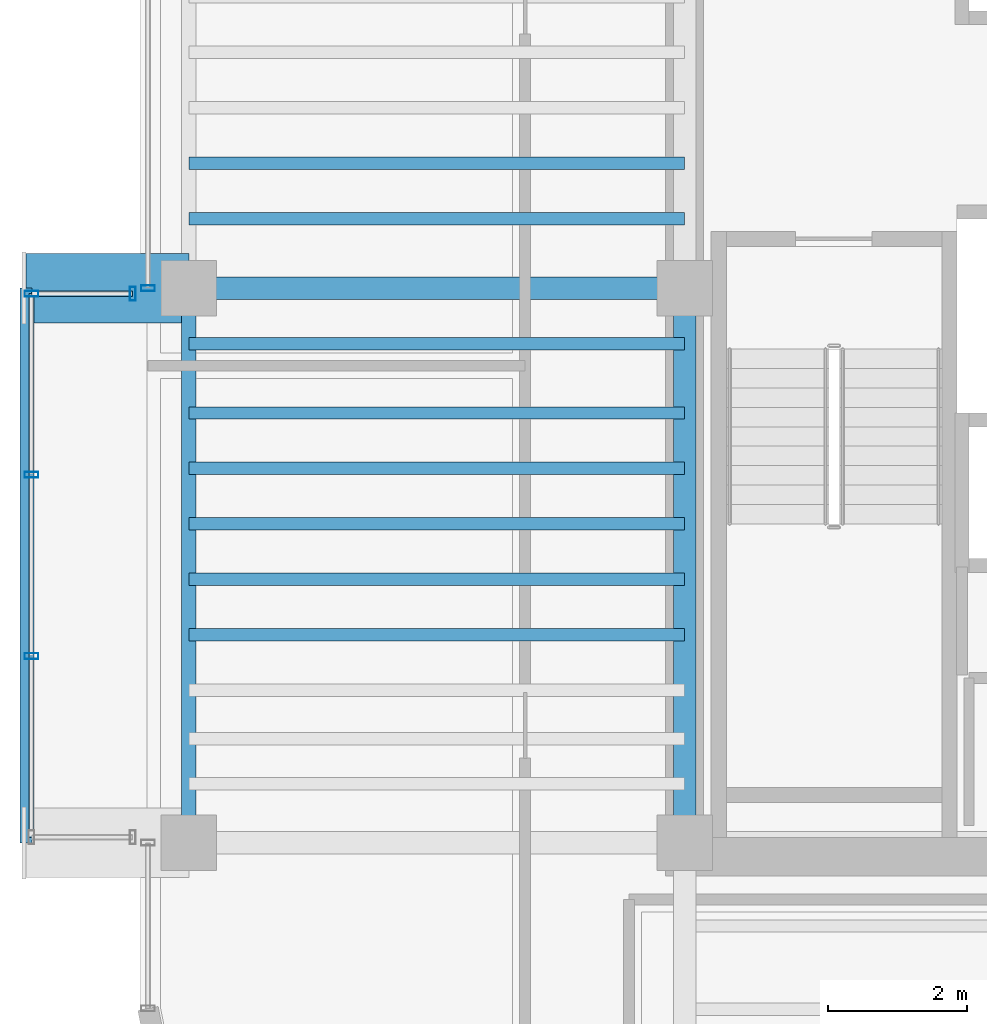
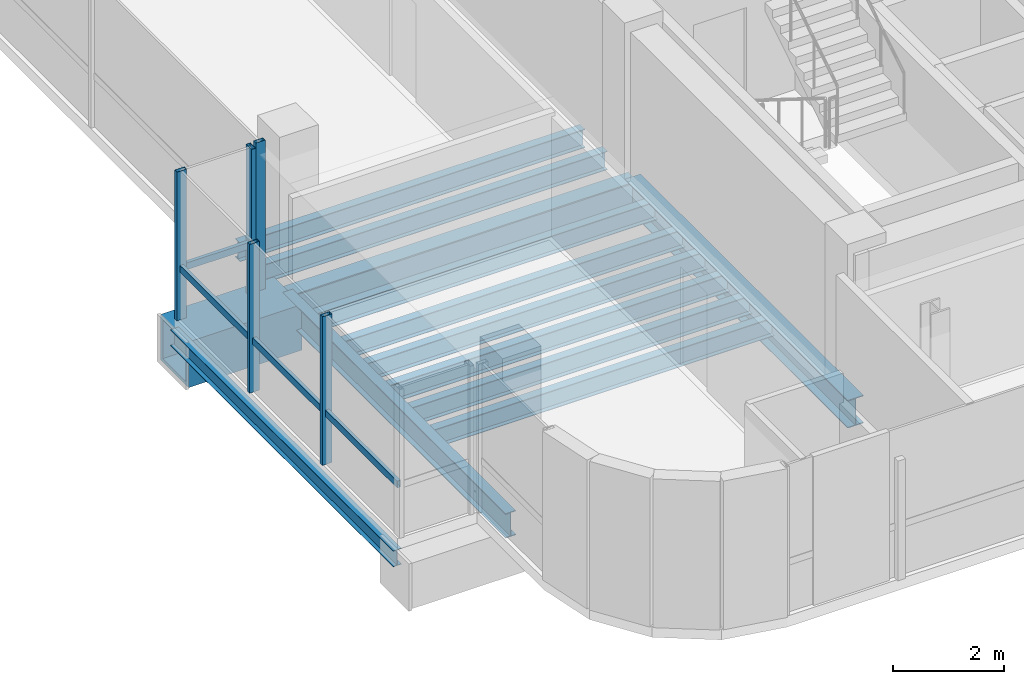
# One storey, part 4 of 19: 13 beams, 7 members, 3 elements without a shape of their own.
"""IFC4 building model written with IfcOpenShell, lengths in metres."""

from ifc_helpers import new_model, si_unit, direction, frame, origin, origin_2d, place, context, subcontext, project, spatial, hollow_rectangle, i_section, extrude, source, transform, mapped, material, material_profile, profile_set, type_object, element, aggregate, save


model = new_model("IFC4")

# Units and contexts
model_context = context("Model", 3, precision=1e-05, world=origin(), true_north=direction((0.0, 1.0)))
body_context = subcontext(model_context, "Body", "Model", "MODEL_VIEW")
ifc_project = project(units=[si_unit("LENGTHUNIT", "METRE"), si_unit("AREAUNIT", "SQUARE_METRE"), si_unit("VOLUMEUNIT", "CUBIC_METRE"), si_unit("PLANEANGLEUNIT", "RADIAN"), si_unit("MASSUNIT", "GRAM", prefix="KILO")], contexts=[model_context])

# Site, building, storey
site_placement = place(None, origin())
site = spatial("IfcSite", under=ifc_project, at=site_placement, CompositionType="ELEMENT")
building_placement = place(site_placement, origin())
building = spatial("IfcBuilding", under=site, at=building_placement, Name="Valdorenza Pilgrim Sanctuary Tower", CompositionType="ELEMENT")
storey_placement = place(building_placement, frame((0.0, 0.0, 266.0)))
storey = spatial("IfcBuildingStorey", under=building, at=storey_placement, Name="L69", CompositionType="ELEMENT", Elevation=266.0)

# Beams
ifc_material_1 = material(Name="Steel ASTM A992 Grade 50", Category="steel")
ifc_material_profile_1 = material_profile(ifc_material_1, i_section(OverallWidth=0.323974609375, OverallDepth=0.611083984375, WebThickness=0.0126953125, FlangeThickness=0.01904296875, at=origin_2d()), Name="W24X104")
ifc_profile_set_1 = profile_set([ifc_material_profile_1], Name="Steel ASTM A992 Grade 50")
beam_type_1 = type_object("IfcBeamType", Name="STR-BM-GRD-W24B", PredefinedType="BEAM", material=ifc_profile_set_1)
shared_shape_1 = source(origin(), body_context, "Body", "SweptSolid", [
    extrude(i_section(OverallWidth=0.323974609375, OverallDepth=0.611083984375, WebThickness=0.0126953125, FlangeThickness=0.01904296875, at=origin_2d()), origin(), (0.0, 0.0, 1.0), 8.0),
])
beam_1_placement = place(storey_placement, frame((-22.64990234375, -10.60009765625, -0.54541015625), z_axis=(0.0, 1.0, 0.0), x_axis=(-1.0, 0.0, 0.0)))
element("IfcBeam", 1, at=beam_1_placement, inside=storey, type_object=beam_type_1, Name="L69 Core Tie Girder CA-W-S1M0", PredefinedType="BEAM", context=body_context, shape_type="MappedRepresentation", body=[
    mapped(shared_shape_1, transform((0.0, 0.0, 0.0), x_axis=(1.0, 0.0, 0.0), y_axis=(0.0, 1.0, 0.0), z_axis=(0.0, 0.0, 1.0), scale=1.0)),
])
ifc_material_profile_2 = material_profile(ifc_material_1, i_section(OverallWidth=0.1708984375, OverallDepth=0.35107421875, WebThickness=0.0068359375, FlangeThickness=0.009765625, at=origin_2d()), Name="W14X30")
ifc_profile_set_2 = profile_set([ifc_material_profile_2], Name="Steel ASTM A992 Grade 50")
beam_type_2 = type_object("IfcBeamType", Name="STR-BM-BOX-W14", PredefinedType="BEAM", material=ifc_profile_set_2)
shared_shape_2 = source(origin(), body_context, "Body", "SweptSolid", [
    extrude(i_section(OverallWidth=0.1708984375, OverallDepth=0.35107421875, WebThickness=0.0068359375, FlangeThickness=0.009765625, at=origin_2d()), origin(), (0.0, 0.0, 1.0), 8.0),
])
beam_2_placement = place(storey_placement, frame((-32.14990234375, -10.60009765625, -0.41552734375), z_axis=(0.0, 1.0, 0.0), x_axis=(-1.0, 0.0, 0.0)))
element("IfcBeam", 2, at=beam_2_placement, inside=storey, type_object=beam_type_2, Name="L69 Glass Box Edge Beam BOX-WA-L69-F", PredefinedType="BEAM", context=body_context, shape_type="MappedRepresentation", body=[
    mapped(shared_shape_2, transform((0.0, 0.0, 0.0), x_axis=(1.0, 0.0, 0.0), y_axis=(0.0, 1.0, 0.0), z_axis=(0.0, 0.0, 1.0), scale=1.0)),
])
ifc_material_profile_3 = material_profile(ifc_material_1, i_section(OverallWidth=0.2109375, OverallDepth=0.5390625, WebThickness=0.01171875, FlangeThickness=0.018798828125, at=origin_2d()), Name="W21X73")
ifc_profile_set_3 = profile_set([ifc_material_profile_3], Name="Steel ASTM A992 Grade 50")
beam_type_3 = type_object("IfcBeamType", Name="STR-BM-SPN-W21B", PredefinedType="SPANDREL", material=ifc_profile_set_3)
shared_shape_3 = source(origin(), body_context, "Body", "SweptSolid", [
    extrude(i_section(OverallWidth=0.2109375, OverallDepth=0.5390625, WebThickness=0.01171875, FlangeThickness=0.018798828125, at=origin_2d()), origin(), (0.0, 0.0, 1.0), 8.0),
])
beam_3_placement = place(storey_placement, frame((-29.800048828125, -10.60009765625, -0.509521484375), z_axis=(0.0, 1.0, 0.0), x_axis=(-1.0, 0.0, 0.0)))
element("IfcBeam", 3, at=beam_3_placement, inside=storey, type_object=beam_type_3, Name="L69 Spandrel Beam WA-W-S1M0", PredefinedType="SPANDREL", context=body_context, shape_type="MappedRepresentation", body=[
    mapped(shared_shape_3, transform((0.0, 0.0, 0.0), x_axis=(1.0, 0.0, 0.0), y_axis=(0.0, 1.0, 0.0), z_axis=(0.0, 0.0, 1.0), scale=1.0)),
])
ifc_material_profile_4 = material_profile(ifc_material_1, i_section(OverallWidth=0.177978515625, OverallDepth=0.406005859375, WebThickness=0.0078125, FlangeThickness=0.0126953125, at=origin_2d()), Name="W16X40")
ifc_profile_set_4 = profile_set([ifc_material_profile_4], Name="Steel ASTM A992 Grade 50")
beam_type_4 = type_object("IfcBeamType", Name="STR-BM-JST-W16", PredefinedType="JOIST", material=ifc_profile_set_4)
shared_shape_4 = source(origin(), body_context, "Body", "SweptSolid", [
    extrude(i_section(OverallWidth=0.177978515625, OverallDepth=0.406005859375, WebThickness=0.0078125, FlangeThickness=0.0126953125, at=origin_2d()), origin(), (0.0, 0.0, 1.0), 7.150146484375),
])
for number, where, z_axis, x_axis, name in (
    (4, (-29.800048828125, -7.60009765625, -0.443115234375), (1.0, 0.0, 0.0), (0.0, 1.0, 0.0), "L69 Composite Floor Joist JST-WA-4"),
    (5, (-29.800048828125, -6.800048828125, -0.443115234375), (1.0, 0.0, 0.0), (0.0, 1.0, 0.0), "L69 Composite Floor Joist JST-WA-5"),
    (6, (-29.800048828125, -6.0, -0.443115234375), (1.0, 0.0, 0.0), (0.0, 1.0, 0.0), "L69 Composite Floor Joist JST-WA-6"),
    (7, (-29.800048828125, -5.199951171875, -0.443115234375), (1.0, 0.0, 0.0), (0.0, 1.0, 0.0), "L69 Composite Floor Joist JST-WA-7"),
    (8, (-29.800048828125, -4.39990234375, -0.443115234375), (1.0, 0.0, 0.0), (0.0, 1.0, 0.0), "L69 Composite Floor Joist JST-WA-8"),
    (9, (-29.800048828125, -3.39990234375, -0.443115234375), (1.0, 0.0, 0.0), (0.0, 1.0, 0.0), "L69 Composite Floor Joist JST-WA-9"),
    (10, (-29.800048828125, -1.60009765625, -0.443115234375), (1.0, 0.0, 0.0), (0.0, 1.0, 0.0), "L69 Composite Floor Joist JST-WA-10"),
    (11, (-29.800048828125, -0.800048828125, -0.443115234375), (1.0, 0.0, 0.0), (0.0, 1.0, 0.0), "L69 Composite Floor Joist JST-WA-11"),
):
    element("IfcBeam", number, at=place(storey_placement, frame(where, z_axis=z_axis, x_axis=x_axis)), inside=storey, type_object=beam_type_4, Name=name, PredefinedType="JOIST", context=body_context, shape_type="MappedRepresentation", body=[
        mapped(shared_shape_4, transform((0.0, 0.0, 0.0), x_axis=(1.0, 0.0, 0.0), y_axis=(0.0, 1.0, 0.0), z_axis=(0.0, 0.0, 1.0), scale=1.0)),
    ])
ifc_material_2 = material(Name="Steel ASTM A572 Grade 42", Category="steel")
ifc_material_profile_5 = material_profile(ifc_material_2, hollow_rectangle(XDim=1.0, YDim=1.0, WallThickness=0.080078125, at=origin_2d()), Name="BOX 1000x1000x80")
ifc_profile_set_5 = profile_set([ifc_material_profile_5], Name="Steel ASTM A572 Grade 42")
beam_type_5 = type_object("IfcBeamType", Name="STR-BM-PROW-CANT", PredefinedType="BEAM", material=ifc_profile_set_5)
shared_shape_5 = source(origin(), body_context, "Body", "SweptSolid", [
    extrude(hollow_rectangle(XDim=1.0, YDim=1.0, WallThickness=0.080078125, at=origin_2d()), origin(), (0.0, 0.0, 1.0), 2.349853515625),
])
beam_4_placement = place(storey_placement, frame((-29.800048828125, -2.60009765625, -0.739990234375), z_axis=(-1.0, 0.0, 0.0), x_axis=(0.0, -1.0, 0.0)))
element("IfcBeam", 12, at=beam_4_placement, inside=storey, type_object=beam_type_5, Name="L69 Glass Box Cantilever Beam BOX-WA-L69-CT-N", PredefinedType="BEAM", context=body_context, shape_type="MappedRepresentation", body=[
    mapped(shared_shape_5, transform((0.0, 0.0, 0.0), x_axis=(1.0, 0.0, 0.0), y_axis=(0.0, 1.0, 0.0), z_axis=(0.0, 0.0, 1.0), scale=1.0)),
])
ifc_material_profile_6 = material_profile(ifc_material_1, i_section(OverallWidth=0.326904296875, OverallDepth=0.6220703125, WebThickness=0.015380859375, FlangeThickness=0.0244140625, at=origin_2d()), Name="W24X131")
ifc_profile_set_6 = profile_set([ifc_material_profile_6], Name="Steel ASTM A992 Grade 50")
beam_type_6 = type_object("IfcBeamType", Name="STR-BM-GRD-W24A", PredefinedType="BEAM", material=ifc_profile_set_6)
shared_shape_6 = source(origin(), body_context, "Body", "SweptSolid", [
    extrude(i_section(OverallWidth=0.326904296875, OverallDepth=0.6220703125, WebThickness=0.015380859375, FlangeThickness=0.0244140625, at=origin_2d()), origin(), (0.0, 0.0, 1.0), 7.150146484375),
])
beam_5_placement = place(storey_placement, frame((-29.800048828125, -2.60009765625, -0.551025390625), z_axis=(1.0, 0.0, 0.0), x_axis=(0.0, 1.0, 0.0)))
element("IfcBeam", 13, at=beam_5_placement, inside=storey, type_object=beam_type_6, Name="L69 Floor Girder WA-XW-M0", PredefinedType="BEAM", context=body_context, shape_type="MappedRepresentation", body=[
    mapped(shared_shape_6, transform((0.0, 0.0, 0.0), x_axis=(1.0, 0.0, 0.0), y_axis=(0.0, 1.0, 0.0), z_axis=(0.0, 0.0, 1.0), scale=1.0)),
])

# Curtain wall, member
ifc_material_3 = material(Name="Curtain-wall IGU glazing", Category="glass")
curtain_wall_type = type_object("IfcCurtainWallType", Name="CW-SYS-02", PredefinedType="NOTDEFINED", material=ifc_material_3)
curtain_wall_1_placement = place(storey_placement, origin())
curtain_wall_1 = element("IfcCurtainWall", 14, at=curtain_wall_1_placement, inside=storey, type_object=curtain_wall_type, Name="L69 Curtain Wall CW-L69-BOX-WA-L69-N", PredefinedType="NOTDEFINED")
ifc_material_4 = material(Name="Anodised aluminium AW-6060", Category="aluminium")
ifc_material_profile_7 = material_profile(ifc_material_4, hollow_rectangle(XDim=0.074951171875, YDim=0.14990234375, WallThickness=0.00390625, at=origin_2d()), Name="ALU-T 150x75x4")
ifc_profile_set_7 = profile_set([ifc_material_profile_7], Name="Anodised aluminium AW-6060")
member_type_1 = type_object("IfcMemberType", Name="CW-TRN-02", PredefinedType="USERDEFINED", material=ifc_profile_set_7)
shared_shape_7 = source(origin(), body_context, "Body", "SweptSolid", [
    extrude(hollow_rectangle(XDim=0.074951171875, YDim=0.14990234375, WallThickness=0.00390625, at=origin_2d()), origin(), (0.0, 0.0, 1.0), 1.4599609375),
])
member_1_placement = place(storey_placement, frame((-32.070068359375, -2.679931640625, 1.1201171875), z_axis=(1.0, 0.0, 0.0), x_axis=(0.0, 1.0, 0.0)))
member_1 = element("IfcMember", 15, at=member_1_placement, type_object=member_type_1, Name="CW-L69-BOX-WA-L69-N Transom 1", ObjectType="TRANSOM", PredefinedType="USERDEFINED", context=body_context, shape_type="MappedRepresentation", body=[
    mapped(shared_shape_7, transform((0.0, 0.0, 0.0), x_axis=(1.0, 0.0, 0.0), y_axis=(0.0, 1.0, 0.0), z_axis=(0.0, 0.0, 1.0), scale=1.0)),
])

curtain_wall_2_placement = place(storey_placement, origin())
curtain_wall_2 = element("IfcCurtainWall", 16, at=curtain_wall_2_placement, inside=storey, type_object=curtain_wall_type, Name="L69 Curtain Wall CW-L69-BOX-WA-L69-F", PredefinedType="NOTDEFINED")
shared_shape_8 = source(origin(), body_context, "Body", "SweptSolid", [
    extrude(hollow_rectangle(XDim=0.074951171875, YDim=0.14990234375, WallThickness=0.00390625, at=origin_2d()), origin(), (0.0, 0.0, 1.0), 7.840087890625),
])
member_2_placement = place(storey_placement, frame((-32.070068359375, -10.52001953125, 1.1201171875), z_axis=(0.0, 1.0, 0.0), x_axis=(-1.0, 0.0, 0.0)))
member_2 = element("IfcMember", 17, at=member_2_placement, type_object=member_type_1, Name="CW-L69-BOX-WA-L69-F Transom 1", ObjectType="TRANSOM", PredefinedType="USERDEFINED", context=body_context, shape_type="MappedRepresentation", body=[
    mapped(shared_shape_8, transform((0.0, 0.0, 0.0), x_axis=(1.0, 0.0, 0.0), y_axis=(0.0, 1.0, 0.0), z_axis=(0.0, 0.0, 1.0), scale=1.0)),
])

curtain_wall_3_placement = place(storey_placement, origin())
curtain_wall_3 = element("IfcCurtainWall", 18, at=curtain_wall_3_placement, inside=storey, type_object=curtain_wall_type, Name="L69 Curtain Wall CW-L69-1-1S2", PredefinedType="NOTDEFINED")
ifc_material_profile_8 = material_profile(ifc_material_4, hollow_rectangle(XDim=0.0849609375, YDim=0.199951171875, WallThickness=0.0048828125, at=origin_2d()), Name="ALU-M 200x85x5")
ifc_profile_set_8 = profile_set([ifc_material_profile_8], Name="Anodised aluminium AW-6060")
member_type_2 = type_object("IfcMemberType", Name="CW-MUL-02", PredefinedType="MULLION", material=ifc_profile_set_8)
shared_shape_9 = source(origin(), body_context, "Body", "SweptSolid", [
    extrude(hollow_rectangle(XDim=0.0849609375, YDim=0.199951171875, WallThickness=0.0048828125, at=origin_2d()), origin(), (0.0, 0.0, 1.0), 3.260009765625),
])
member_3_placement = place(storey_placement, frame((-30.389892578125, -2.60009765625, 0.0), z_axis=(0.0, 0.0, 1.0), x_axis=(0.0, 1.0, 0.0)))
member_3 = element("IfcMember", 19, at=member_3_placement, type_object=member_type_2, Name="CW-L69-1-1S2 Mullion 1", PredefinedType="MULLION", context=body_context, shape_type="MappedRepresentation", body=[
    mapped(shared_shape_9, transform((0.0, 0.0, 0.0), x_axis=(1.0, 0.0, 0.0), y_axis=(0.0, 1.0, 0.0), z_axis=(0.0, 0.0, 1.0), scale=1.0)),
])
aggregate(curtain_wall_3, [member_3])

# Member
member_4_placement = place(storey_placement, frame((-32.070068359375, -7.90673828125, 0.0), z_axis=(0.0, 0.0, 1.0), x_axis=(0.0, 1.0, 0.0)))
member_4 = element("IfcMember", 20, at=member_4_placement, type_object=member_type_2, Name="CW-L69-BOX-WA-L69-F Mullion 2", PredefinedType="MULLION", context=body_context, shape_type="MappedRepresentation", body=[
    mapped(shared_shape_9, transform((0.0, 0.0, 0.0), x_axis=(1.0, 0.0, 0.0), y_axis=(0.0, 1.0, 0.0), z_axis=(0.0, 0.0, 1.0), scale=1.0)),
])

member_5_placement = place(storey_placement, frame((-32.070068359375, -5.293212890625, 0.0), z_axis=(0.0, 0.0, 1.0), x_axis=(0.0, 1.0, 0.0)))
member_5 = element("IfcMember", 21, at=member_5_placement, type_object=member_type_2, Name="CW-L69-BOX-WA-L69-F Mullion 3", PredefinedType="MULLION", context=body_context, shape_type="MappedRepresentation", body=[
    mapped(shared_shape_9, transform((0.0, 0.0, 0.0), x_axis=(1.0, 0.0, 0.0), y_axis=(0.0, 1.0, 0.0), z_axis=(0.0, 0.0, 1.0), scale=1.0)),
])

member_6_placement = place(storey_placement, frame((-32.070068359375, -2.679931640625, 0.0), z_axis=(0.0, 0.0, 1.0), x_axis=(0.0, 1.0, 0.0)))
member_6 = element("IfcMember", 22, at=member_6_placement, type_object=member_type_2, Name="CW-L69-BOX-WA-L69-F Mullion 4", PredefinedType="MULLION", context=body_context, shape_type="MappedRepresentation", body=[
    mapped(shared_shape_9, transform((0.0, 0.0, 0.0), x_axis=(1.0, 0.0, 0.0), y_axis=(0.0, 1.0, 0.0), z_axis=(0.0, 0.0, 1.0), scale=1.0)),
])

aggregate(curtain_wall_2, [member_4, member_5, member_6, member_2])

member_7_placement = place(storey_placement, frame((-30.610107421875, -2.679931640625, 0.0), z_axis=(0.0, 0.0, 1.0), x_axis=(1.0, 0.0, 0.0)))
member_7 = element("IfcMember", 23, at=member_7_placement, type_object=member_type_2, Name="CW-L69-BOX-WA-L69-N Mullion 2", PredefinedType="MULLION", context=body_context, shape_type="MappedRepresentation", body=[
    mapped(shared_shape_9, transform((0.0, 0.0, 0.0), x_axis=(1.0, 0.0, 0.0), y_axis=(0.0, 1.0, 0.0), z_axis=(0.0, 0.0, 1.0), scale=1.0)),
])

aggregate(curtain_wall_1, [member_7, member_1])

save(model, "model.ifc")
